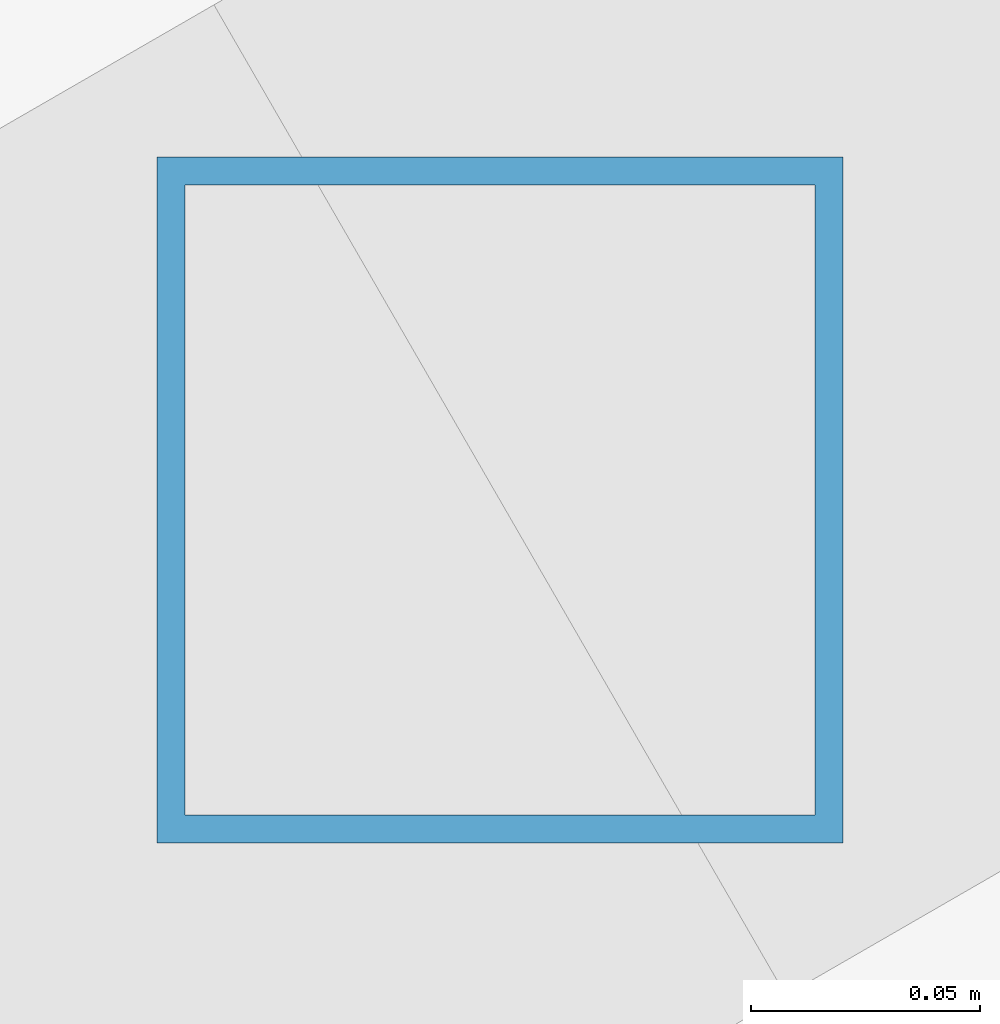
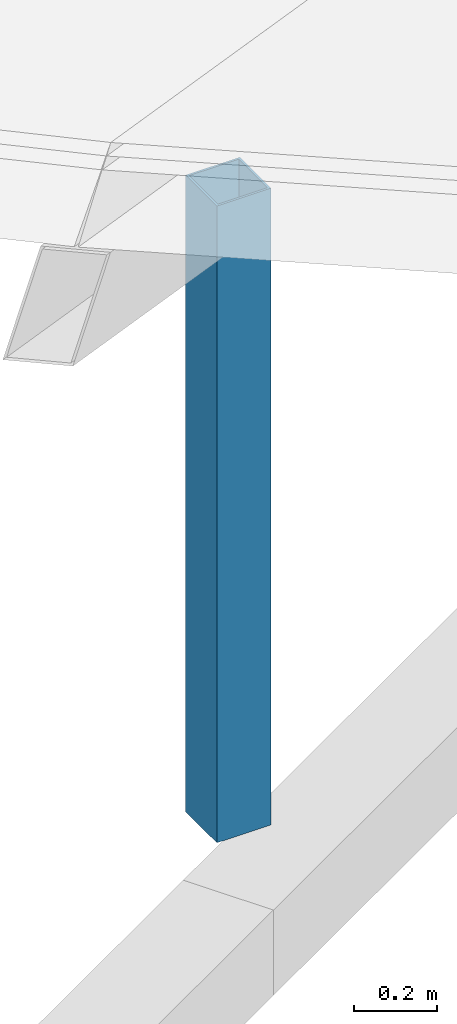
# One storey, part 6 of 70: 1 member.
"""IFC4 building model written with IfcOpenShell, lengths in metres."""

from ifc_helpers import new_model, si_unit, direction, frame, origin, origin_2d, place, context, subcontext, project, spatial, hollow_rectangle, extrude, material, material_profile, profile_set, type_object, element, save


model = new_model("IFC4")

# Units and contexts
model_context = context("Model", 3, precision=1e-05, world=origin(), true_north=direction((0.0, 1.0)))
body_context = subcontext(model_context, "Body", "Model", "MODEL_VIEW")
ifc_project = project(units=[si_unit("LENGTHUNIT", "METRE"), si_unit("AREAUNIT", "SQUARE_METRE"), si_unit("VOLUMEUNIT", "CUBIC_METRE"), si_unit("PLANEANGLEUNIT", "RADIAN"), si_unit("MASSUNIT", "GRAM", prefix="KILO")], contexts=[model_context])

# Site, building, storey
site_placement = place(None, origin())
site = spatial("IfcSite", under=ifc_project, at=site_placement, CompositionType="ELEMENT")
building_placement = place(site_placement, origin())
building = spatial("IfcBuilding", under=site, at=building_placement, Name="Vondelvale Polytechnic", CompositionType="ELEMENT")
storey_placement = place(building_placement, frame((0.0, 0.0, 22.199951171875)))
storey = spatial("IfcBuildingStorey", under=building, at=storey_placement, Name="L05", CompositionType="ELEMENT", Elevation=22.199951171875)

# Member
ifc_material = material(Name="Steel C350L0 (fy = 350 MPa)", Category="steel")
ifc_material_profile = material_profile(ifc_material, hollow_rectangle(XDim=0.14990234375, YDim=0.14990234375, WallThickness=0.006103515625, at=origin_2d()), Name="150x150x6.0SHS")
ifc_profile_set = profile_set([ifc_material_profile], Name="Steel C350L0 (fy = 350 MPa)")
member_type = type_object("IfcMemberType", Name="ROOF TRUSS POST 150SHS", PredefinedType="POST", material=ifc_profile_set)
member_placement = place(storey_placement, frame((69.95703125, 53.5, 0.0), z_axis=(0.0, 0.0, 1.0), x_axis=(1.0, 0.0, 0.0)))
element("IfcMember", 1, at=member_placement, inside=storey, type_object=member_type, Name="Ring mid roof post 14", PredefinedType="POST", context=body_context, shape_type="SweptSolid", body=[
    extrude(hollow_rectangle(XDim=0.14990234375, YDim=0.14990234375, WallThickness=0.006103515625, at=origin_2d()), origin(), (0.0, 0.0, 1.0), 1.86572265625),
])

save(model, "model.ifc")
